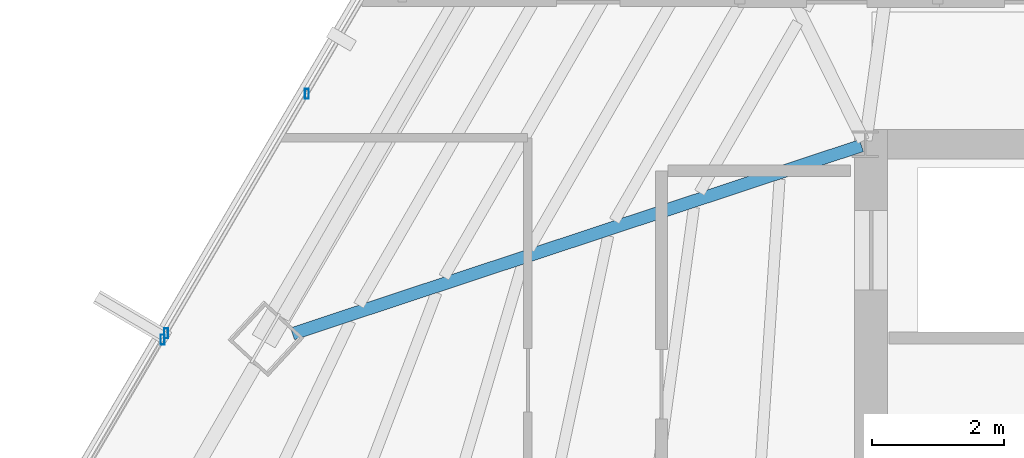
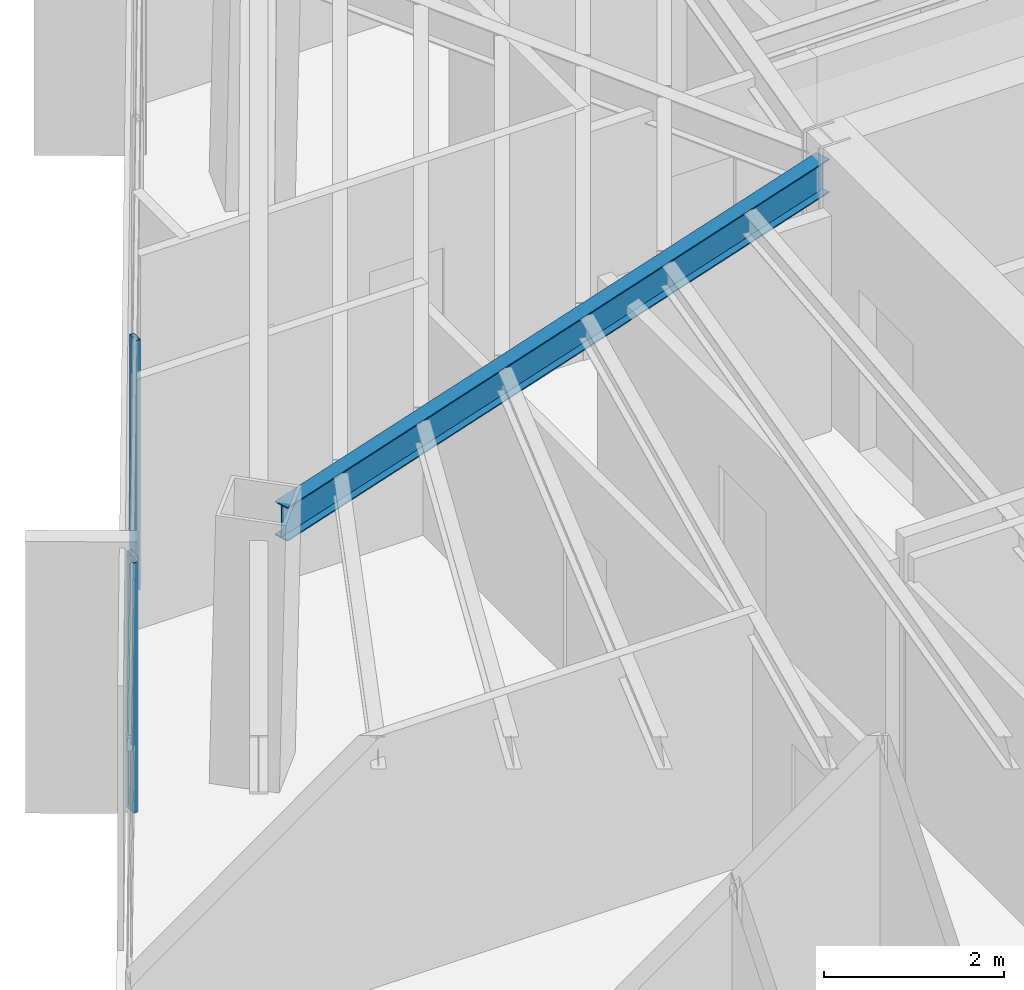
# One storey, part 15 of 42: 3 members, 1 beam, 2 elements without a shape of their own.
"""IFC4 building model written with IfcOpenShell, lengths in metres."""

from ifc_helpers import new_model, si_unit, direction, frame, origin, origin_2d, place, context, subcontext, project, spatial, hollow_rectangle, i_section, extrude, source, transform, mapped, material, material_profile, profile_set, type_object, type_shapes, element, aggregate, save


model = new_model("IFC4")

# Units and contexts
model_context = context("Model", 3, precision=1e-05, world=origin(), true_north=direction((0.0, 1.0)))
body_context = subcontext(model_context, "Body", "Model", "MODEL_VIEW")
ifc_project = project(units=[si_unit("LENGTHUNIT", "METRE"), si_unit("AREAUNIT", "SQUARE_METRE"), si_unit("VOLUMEUNIT", "CUBIC_METRE"), si_unit("PLANEANGLEUNIT", "RADIAN"), si_unit("MASSUNIT", "GRAM", prefix="KILO")], contexts=[model_context])

# Site, building, storey
site_placement = place(None, origin())
site = spatial("IfcSite", under=ifc_project, at=site_placement, CompositionType="ELEMENT")
building_placement = place(site_placement, origin())
building = spatial("IfcBuilding", under=site, at=building_placement, Name="Caelisora Broadcast Tower", CompositionType="ELEMENT")
storey_placement = place(building_placement, frame((0.0, 0.0, 195.0)))
storey = spatial("IfcBuildingStorey", under=building, at=storey_placement, Name="L51", CompositionType="ELEMENT", Elevation=195.0)

# Beam
ifc_material_1 = material(Name="Steel Grade 350 (AS/NZS 3679.1)", Category="steel")
ifc_material_profile_1 = material_profile(ifc_material_1, i_section(OverallWidth=0.19091796875, OverallDepth=0.46044921875, WebThickness=0.010009765625, FlangeThickness=0.01611328125, at=origin_2d()), Name="Steel Grade 350 (AS/NZS 3679.1)")
ifc_profile_set_1 = profile_set([ifc_material_profile_1], Name="Steel Grade 350 (AS/NZS 3679.1)")
beam_type = type_object("IfcBeamType", Name="PG06", PredefinedType="BEAM", material=ifc_profile_set_1)
shared_shape_1 = source(origin(), body_context, "Body", "SweptSolid", [
    extrude(i_section(OverallWidth=0.19091796875, OverallDepth=0.46044921875, WebThickness=0.010009765625, FlangeThickness=0.01611328125, at=origin_2d()), origin(), (0.0, 0.0, 1.0), 9.06103515625),
])
type_shapes(beam_type, [shared_shape_1])
beam_placement = place(storey_placement, frame((30.443115234375, 29.981201171875, 3.169921875), z_axis=(-0.949384199713, -0.314117241386, 0.0), x_axis=(0.314117241386, -0.949384199713, 0.0)))
element("IfcBeam", 1, at=beam_placement, inside=storey, type_object=beam_type, Name="L51 beam PG06", PredefinedType="BEAM", context=body_context, shape_type="MappedRepresentation", body=[
    mapped(shared_shape_1, transform((0.0, 0.0, 0.0), scale=1.0)),
])

# Curtain wall, member
ifc_material_2 = material(Name="Unitised Aluminium and Low-E Glass Curtain Wall", Category="glass")
curtain_wall_type_1 = type_object("IfcCurtainWallType", Name="CW-Z4", PredefinedType="NOTDEFINED", material=ifc_material_2)
curtain_wall_1_placement = place(storey_placement, origin())
curtain_wall_1 = element("IfcCurtainWall", 2, at=curtain_wall_1_placement, inside=storey, type_object=curtain_wall_type_1, Name="L51 curtain wall CW-Z4", PredefinedType="NOTDEFINED")
ifc_material_3 = material(Name="Aluminium 6063-T6 Anodised Terracotta Bronze", Category="aluminium")
ifc_material_profile_2 = material_profile(ifc_material_3, hollow_rectangle(XDim=0.06005859375, YDim=0.14990234375, WallThickness=0.00341796875, at=origin_2d()), Name="Aluminium 6063-T6 Anodised Terracotta Bronze")
ifc_profile_set_2 = profile_set([ifc_material_profile_2], Name="Aluminium 6063-T6 Anodised Terracotta Bronze")
member_type = type_object("IfcMemberType", Name="CWM-03", PredefinedType="MULLION", material=ifc_profile_set_2)
shared_shape_2 = source(origin(), body_context, "Body", "SweptSolid", [
    extrude(hollow_rectangle(XDim=0.06005859375, YDim=0.14990234375, WallThickness=0.00341796875, at=origin_2d()), origin(), (0.0, 0.0, 1.0), 3.39990234375),
])
type_shapes(member_type, [shared_shape_2])
member_1_placement = place(storey_placement, frame((19.875244140625, 27.04638671875, 0.0), z_axis=(0.0, 0.0, 1.0), x_axis=(1.0, 0.0, 0.0)))
member_1 = element("IfcMember", 3, at=member_1_placement, type_object=member_type, Name="L51-CW-B09 mullion #3", PredefinedType="MULLION", context=body_context, shape_type="MappedRepresentation", body=[
    mapped(shared_shape_2, transform((0.0, 0.0, 0.0), scale=1.0)),
])
aggregate(curtain_wall_1, [member_1])

# Curtain wall, members
ifc_material_4 = material(Name="Unitised Aluminium Insulated Shadow-Box Spandrel Curtain Wall", Category="aluminium")
curtain_wall_type_2 = type_object("IfcCurtainWallType", Name="CW-SP2", PredefinedType="NOTDEFINED", material=ifc_material_4)
curtain_wall_2_placement = place(storey_placement, origin())
curtain_wall_2 = element("IfcCurtainWall", 4, at=curtain_wall_2_placement, inside=storey, type_object=curtain_wall_type_2, Name="L51 curtain wall CW-SP2", PredefinedType="NOTDEFINED")
member_2_placement = place(storey_placement, frame((19.930908203125, 27.14111328125, 0.0), z_axis=(0.0, 0.0, 1.0), x_axis=(1.0, 0.0, 0.0)))
member_2 = element("IfcMember", 5, at=member_2_placement, type_object=member_type, Name="L51-CW-B10 mullion #0", PredefinedType="MULLION", context=body_context, shape_type="MappedRepresentation", body=[
    mapped(shared_shape_2, transform((0.0, 0.0, 0.0), scale=1.0)),
])
member_3_placement = place(storey_placement, frame((22.057373046875, 30.76220703125, 0.0), z_axis=(0.0, 0.0, 1.0), x_axis=(1.0, 0.0, 0.0)))
member_3 = element("IfcMember", 6, at=member_3_placement, type_object=member_type, Name="L51-CW-B10 mullion #1", PredefinedType="MULLION", context=body_context, shape_type="MappedRepresentation", body=[
    mapped(shared_shape_2, transform((0.0, 0.0, 0.0), scale=1.0)),
])
aggregate(curtain_wall_2, [member_2, member_3])

save(model, "model.ifc")
